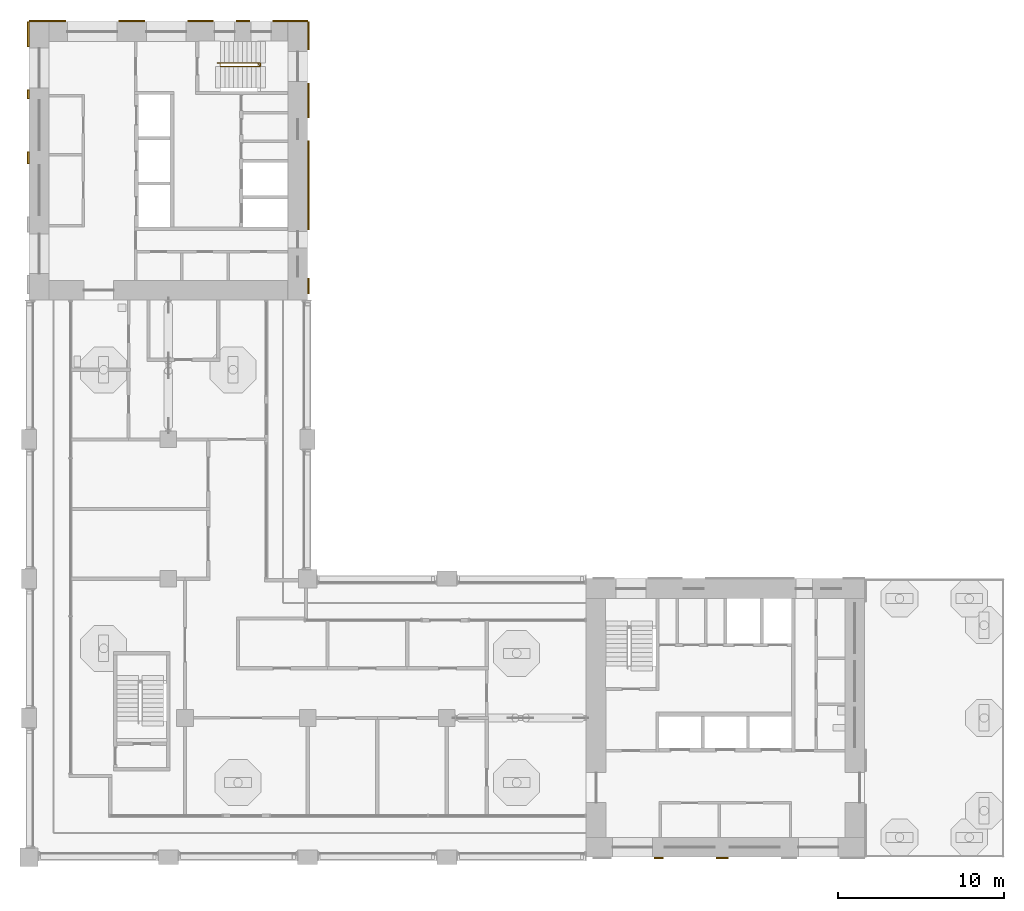
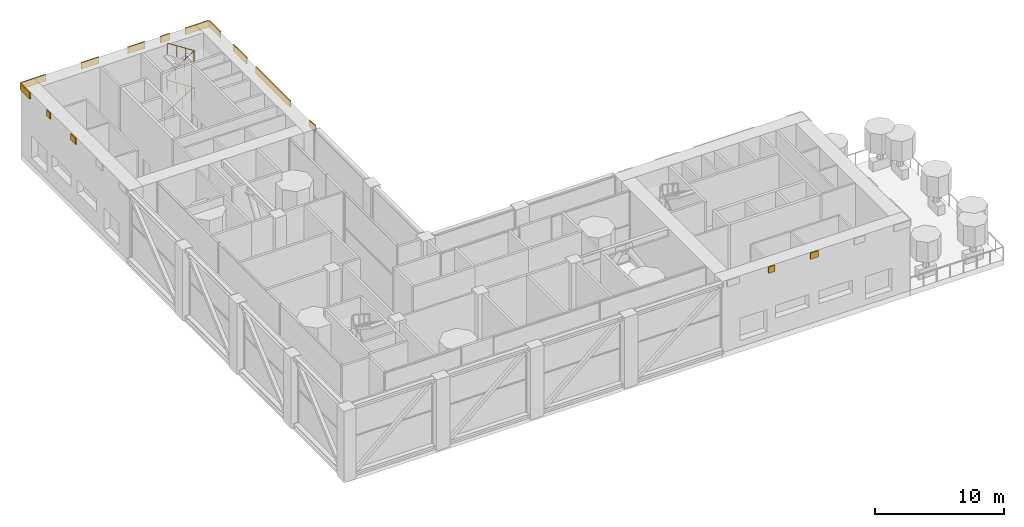
# One storey, part 17 of 20: 14 shading devices, 1 railing.
"""IFC4 building model written with IfcOpenShell, lengths in metres."""

from ifc_helpers import new_model, si_unit, direction, frame, origin, origin_2d, place, context, subcontext, project, spatial, rectangle, circle, extrude, material, layer, layer_set, type_object, element, save


model = new_model("IFC4")

# Units and contexts
model_context = context("Model", 3, precision=1e-05, world=origin(), true_north=direction((0.0, 1.0)))
body_context = subcontext(model_context, "Body", "Model", "MODEL_VIEW")
ifc_project = project(units=[si_unit("LENGTHUNIT", "METRE"), si_unit("AREAUNIT", "SQUARE_METRE"), si_unit("VOLUMEUNIT", "CUBIC_METRE"), si_unit("PLANEANGLEUNIT", "RADIAN"), si_unit("MASSUNIT", "GRAM", prefix="KILO")], contexts=[model_context])

# Site, building, storey
site_placement = place(None, origin())
site = spatial("IfcSite", under=ifc_project, at=site_placement, CompositionType="ELEMENT")
building_placement = place(site_placement, origin())
building = spatial("IfcBuilding", under=site, at=building_placement, Name="Vermilion Gate Residences", CompositionType="ELEMENT")
storey_placement = place(building_placement, frame((0.0, 0.0, 207.199951171875)))
storey = spatial("IfcBuildingStorey", under=building, at=storey_placement, Name="L54", CompositionType="ELEMENT", Elevation=207.199951171875)

# Railing
ifc_material_1 = material(Name="Steel S355", Category="steel")
railing_type = type_object("IfcRailingType", Name="STAIR GUARD 1100 STEEL", PredefinedType="GUARDRAIL", material=ifc_material_1)
railing_placement = place(storey_placement, frame((19.75, 56.300048828125, 0.175048828125)))
element("IfcRailing", 1, at=railing_placement, inside=storey, type_object=railing_type, Name="Stair well guard STB1-54", PredefinedType="GUARDRAIL", context=body_context, shape_type="SweptSolid", body=[
    extrude(circle(Radius=0.02392578125, at=origin_2d()), frame((0.0, 0.0, 1.076171875), z_axis=(0.839153699163, 0.0, 0.543894354798), x_axis=(0.0, 1.0, 0.0)), (0.0, 0.0, 1.0), 2.895751953125),
    extrude(circle(Radius=0.02392578125, at=origin_2d()), frame((2.429931640625, 0.0, 2.65087890625), z_axis=(0.561173083408, -0.622765251099, 0.545204743636), x_axis=(0.74288808428, 0.669415636384, 0.0)), (0.0, 0.0, 1.0), 0.321044921875),
    extrude(circle(Radius=0.02392578125, at=origin_2d()), frame((2.610107421875, -0.199951171875, 2.826171875), z_axis=(-0.839178637674, 0.0, 0.543855876194), x_axis=(0.0, -1.0, 0.0)), (0.0, 0.0, 1.0), 2.89599609375),
    extrude(circle(Radius=0.02392578125, at=origin_2d()), frame((0.179931640625, -0.199951171875, 4.40087890625), z_axis=(0.0, 0.752405939678, 0.658699705433), x_axis=(-1.0, 0.0, 0.0)), (0.0, 0.0, 1.0), 0.265869140625),
    extrude(circle(Radius=0.02392578125, at=origin_2d()), frame((0.179931640625, 0.0, 4.576171875), z_axis=(0.839178637674, 0.0, 0.543855876194), x_axis=(0.0, 1.0, 0.0)), (0.0, 0.0, 1.0), 2.89599609375),
    extrude(circle(Radius=0.02392578125, at=origin_2d()), frame((2.610107421875, 0.0, 6.15087890625), z_axis=(0.0, -0.752405939678, 0.658699705433), x_axis=(1.0, 0.0, 0.0)), (0.0, 0.0, 1.0), 0.265869140625),
    extrude(circle(Radius=0.02392578125, at=origin_2d()), frame((2.610107421875, -0.199951171875, 6.326171875), z_axis=(-0.839178637674, 0.0, 0.543855876194), x_axis=(0.0, -1.0, 0.0)), (0.0, 0.0, 1.0), 2.89599609375),
    extrude(circle(Radius=0.02099609375, at=origin_2d()), origin(), (0.0, 0.0, 1.0), 1.052001953125),
    extrude(circle(Radius=0.02099609375, at=origin_2d()), frame((0.81005859375, 0.0, 0.52490234375)), (0.0, 0.0, 1.0), 1.052001953125),
    extrude(circle(Radius=0.02099609375, at=origin_2d()), frame((1.619873046875, 0.0, 1.050048828125)), (0.0, 0.0, 1.0), 1.052001953125),
    extrude(circle(Radius=0.02099609375, at=origin_2d()), frame((2.429931640625, 0.0, 1.574951171875)), (0.0, 0.0, 1.0), 1.052001953125),
    extrude(circle(Radius=0.02099609375, at=origin_2d()), frame((2.610107421875, -0.199951171875, 1.75)), (0.0, 0.0, 1.0), 1.052001953125),
    extrude(circle(Radius=0.02099609375, at=origin_2d()), frame((1.800048828125, -0.199951171875, 2.27490234375)), (0.0, 0.0, 1.0), 1.052001953125),
    extrude(circle(Radius=0.02099609375, at=origin_2d()), frame((0.989990234375, -0.199951171875, 2.800048828125)), (0.0, 0.0, 1.0), 1.052001953125),
    extrude(circle(Radius=0.02099609375, at=origin_2d()), frame((0.179931640625, -0.199951171875, 3.324951171875)), (0.0, 0.0, 1.0), 1.052001953125),
    extrude(circle(Radius=0.02099609375, at=origin_2d()), frame((0.179931640625, 0.0, 3.5)), (0.0, 0.0, 1.0), 1.052001953125),
    extrude(circle(Radius=0.02099609375, at=origin_2d()), frame((0.989990234375, 0.0, 4.02490234375)), (0.0, 0.0, 1.0), 1.052001953125),
    extrude(circle(Radius=0.02099609375, at=origin_2d()), frame((1.800048828125, 0.0, 4.550048828125)), (0.0, 0.0, 1.0), 1.052001953125),
    extrude(circle(Radius=0.02099609375, at=origin_2d()), frame((2.610107421875, 0.0, 5.074951171875)), (0.0, 0.0, 1.0), 1.052001953125),
    extrude(circle(Radius=0.02099609375, at=origin_2d()), frame((2.610107421875, -0.199951171875, 5.25)), (0.0, 0.0, 1.0), 1.052001953125),
    extrude(circle(Radius=0.02099609375, at=origin_2d()), frame((1.800048828125, -0.199951171875, 5.77490234375)), (0.0, 0.0, 1.0), 1.052001953125),
    extrude(circle(Radius=0.02099609375, at=origin_2d()), frame((0.989990234375, -0.199951171875, 6.300048828125)), (0.0, 0.0, 1.0), 1.052001953125),
    extrude(circle(Radius=0.02099609375, at=origin_2d()), frame((0.179931640625, -0.199951171875, 6.824951171875)), (0.0, 0.0, 1.0), 1.052001953125),
])

# Shading devices
ifc_material_2 = material(Name="Extruded terracotta", Category="masonry")
ifc_layer = layer(ifc_material_2, 0.10009765625)
ifc_layer_set = layer_set([ifc_layer], Name="TERRACOTTA SPANDREL BAND 600 X 100")
shading_device_type = type_object("IfcShadingDeviceType", Name="TERRACOTTA SPANDREL BAND 600 X 100", PredefinedType="USERDEFINED", material=ifc_layer_set)
shading_device_1_placement = place(storey_placement, frame((46.37451171875, 8.35009765625, 6.1201171875), z_axis=(0.0, 0.0, 1.0), x_axis=(1.0, 0.0, 0.0)))
element("IfcShadingDevice", 2, at=shading_device_1_placement, inside=storey, type_object=shading_device_type, Name="SPANDREL BAND", ObjectType="BAND", PredefinedType="USERDEFINED", context=body_context, shape_type="SweptSolid", body=[
    extrude(rectangle(XDim=0.548828125, YDim=0.10009765625, at=origin_2d()), origin(), (0.0, 0.0, 1.0), 0.60009765625),
])
shading_device_2_placement = place(storey_placement, frame((50.211181640625, 8.35009765625, 6.1201171875), z_axis=(0.0, 0.0, 1.0), x_axis=(1.0, 0.0, 0.0)))
element("IfcShadingDevice", 3, at=shading_device_2_placement, inside=storey, type_object=shading_device_type, Name="SPANDREL BAND", ObjectType="BAND", PredefinedType="USERDEFINED", context=body_context, shape_type="SweptSolid", body=[
    extrude(rectangle(XDim=0.72509765625, YDim=0.10009765625, at=origin_2d()), origin(), (0.0, 0.0, 1.0), 0.60009765625),
])
shading_device_3_placement = place(storey_placement, frame((9.50244140625, 58.85009765625, 6.1201171875), z_axis=(0.0, 0.0, 1.0), x_axis=(1.0, 0.0, 0.0)))
element("IfcShadingDevice", 4, at=shading_device_3_placement, inside=storey, type_object=shading_device_type, Name="SPANDREL BAND", ObjectType="BAND", PredefinedType="USERDEFINED", context=body_context, shape_type="SweptSolid", body=[
    extrude(rectangle(XDim=2.205078125, YDim=0.10009765625, at=origin_2d()), origin(), (0.0, 0.0, 1.0), 0.60009765625),
])
shading_device_4_placement = place(storey_placement, frame((14.590087890625, 58.85009765625, 6.1201171875), z_axis=(0.0, 0.0, 1.0), x_axis=(1.0, 0.0, 0.0)))
element("IfcShadingDevice", 5, at=shading_device_4_placement, inside=storey, type_object=shading_device_type, Name="SPANDREL BAND", ObjectType="BAND", PredefinedType="USERDEFINED", context=body_context, shape_type="SweptSolid", body=[
    extrude(rectangle(XDim=1.570068359375, YDim=0.10009765625, at=origin_2d()), origin(), (0.0, 0.0, 1.0), 0.60009765625),
])
shading_device_5_placement = place(storey_placement, frame((18.734130859375, 58.85009765625, 6.1201171875), z_axis=(0.0, 0.0, 1.0), x_axis=(1.0, 0.0, 0.0)))
element("IfcShadingDevice", 6, at=shading_device_5_placement, inside=storey, type_object=shading_device_type, Name="SPANDREL BAND", ObjectType="BAND", PredefinedType="USERDEFINED", context=body_context, shape_type="SweptSolid", body=[
    extrude(rectangle(XDim=1.518310546875, YDim=0.10009765625, at=origin_2d()), origin(), (0.0, 0.0, 1.0), 0.60009765625),
])
shading_device_6_placement = place(storey_placement, frame((21.294921875, 58.85009765625, 6.1201171875), z_axis=(0.0, 0.0, 1.0), x_axis=(1.0, 0.0, 0.0)))
element("IfcShadingDevice", 7, at=shading_device_6_placement, inside=storey, type_object=shading_device_type, Name="SPANDREL BAND", ObjectType="BAND", PredefinedType="USERDEFINED", context=body_context, shape_type="SweptSolid", body=[
    extrude(rectangle(XDim=0.803466796875, YDim=0.10009765625, at=origin_2d()), origin(), (0.0, 0.0, 1.0), 0.60009765625),
])
shading_device_7_placement = place(storey_placement, frame((24.1484375, 58.85009765625, 6.1201171875), z_axis=(0.0, 0.0, 1.0), x_axis=(1.0, 0.0, 0.0)))
element("IfcShadingDevice", 8, at=shading_device_7_placement, inside=storey, type_object=shading_device_type, Name="SPANDREL BAND", ObjectType="BAND", PredefinedType="USERDEFINED", context=body_context, shape_type="SweptSolid", body=[
    extrude(rectangle(XDim=2.103271484375, YDim=0.10009765625, at=origin_2d()), origin(), (0.0, 0.0, 1.0), 0.60009765625),
])
shading_device_8_placement = place(storey_placement, frame((8.35009765625, 50.5888671875, 6.1201171875), z_axis=(0.0, 0.0, 1.0), x_axis=(0.0, 1.0, 0.0)))
element("IfcShadingDevice", 9, at=shading_device_8_placement, inside=storey, type_object=shading_device_type, Name="SPANDREL BAND", ObjectType="BAND", PredefinedType="USERDEFINED", context=body_context, shape_type="SweptSolid", body=[
    extrude(rectangle(XDim=0.72509765625, YDim=0.10009765625, at=origin_2d()), origin(), (0.0, 0.0, 1.0), 0.60009765625),
])
shading_device_9_placement = place(storey_placement, frame((8.35009765625, 54.425537109375, 6.1201171875), z_axis=(0.0, 0.0, 1.0), x_axis=(0.0, 1.0, 0.0)))
element("IfcShadingDevice", 10, at=shading_device_9_placement, inside=storey, type_object=shading_device_type, Name="SPANDREL BAND", ObjectType="BAND", PredefinedType="USERDEFINED", context=body_context, shape_type="SweptSolid", body=[
    extrude(rectangle(XDim=0.548583984375, YDim=0.10009765625, at=origin_2d()), origin(), (0.0, 0.0, 1.0), 0.60009765625),
])
shading_device_10_placement = place(storey_placement, frame((8.35009765625, 58.050048828125, 6.1201171875), z_axis=(0.0, 0.0, 1.0), x_axis=(0.0, 1.0, 0.0)))
element("IfcShadingDevice", 11, at=shading_device_10_placement, inside=storey, type_object=shading_device_type, Name="SPANDREL BAND", ObjectType="BAND", PredefinedType="USERDEFINED", context=body_context, shape_type="SweptSolid", body=[
    extrude(rectangle(XDim=1.5, YDim=0.10009765625, at=origin_2d()), origin(), (0.0, 0.0, 1.0), 0.60009765625),
])
shading_device_11_placement = place(storey_placement, frame((25.25, 42.862548828125, 6.1201171875), z_axis=(0.0, 0.0, 1.0), x_axis=(0.0, 1.0, 0.0)))
element("IfcShadingDevice", 12, at=shading_device_11_placement, inside=storey, type_object=shading_device_type, Name="SPANDREL BAND", ObjectType="BAND", PredefinedType="USERDEFINED", context=body_context, shape_type="SweptSolid", body=[
    extrude(rectangle(XDim=0.925048828125, YDim=0.10009765625, at=origin_2d()), origin(), (0.0, 0.0, 1.0), 0.60009765625),
])
shading_device_12_placement = place(storey_placement, frame((25.25, 48.928955078125, 6.1201171875), z_axis=(0.0, 0.0, 1.0), x_axis=(0.0, 1.0, 0.0)))
element("IfcShadingDevice", 13, at=shading_device_12_placement, inside=storey, type_object=shading_device_type, Name="SPANDREL BAND", ObjectType="BAND", PredefinedType="USERDEFINED", context=body_context, shape_type="SweptSolid", body=[
    extrude(rectangle(XDim=5.35791015625, YDim=0.10009765625, at=origin_2d()), origin(), (0.0, 0.0, 1.0), 0.60009765625),
])
shading_device_13_placement = place(storey_placement, frame((25.25, 54.053955078125, 6.1201171875), z_axis=(0.0, 0.0, 1.0), x_axis=(0.0, 1.0, 0.0)))
element("IfcShadingDevice", 14, at=shading_device_13_placement, inside=storey, type_object=shading_device_type, Name="SPANDREL BAND", ObjectType="BAND", PredefinedType="USERDEFINED", context=body_context, shape_type="SweptSolid", body=[
    extrude(rectangle(XDim=2.092041015625, YDim=0.10009765625, at=origin_2d()), origin(), (0.0, 0.0, 1.0), 0.60009765625),
])
shading_device_14_placement = place(storey_placement, frame((25.25, 57.949951171875, 6.1201171875), z_axis=(0.0, 0.0, 1.0), x_axis=(0.0, 1.0, 0.0)))
element("IfcShadingDevice", 15, at=shading_device_14_placement, inside=storey, type_object=shading_device_type, Name="SPANDREL BAND", ObjectType="BAND", PredefinedType="USERDEFINED", context=body_context, shape_type="SweptSolid", body=[
    extrude(rectangle(XDim=1.699951171875, YDim=0.10009765625, at=origin_2d()), origin(), (0.0, 0.0, 1.0), 0.60009765625),
])

save(model, "model.ifc")
